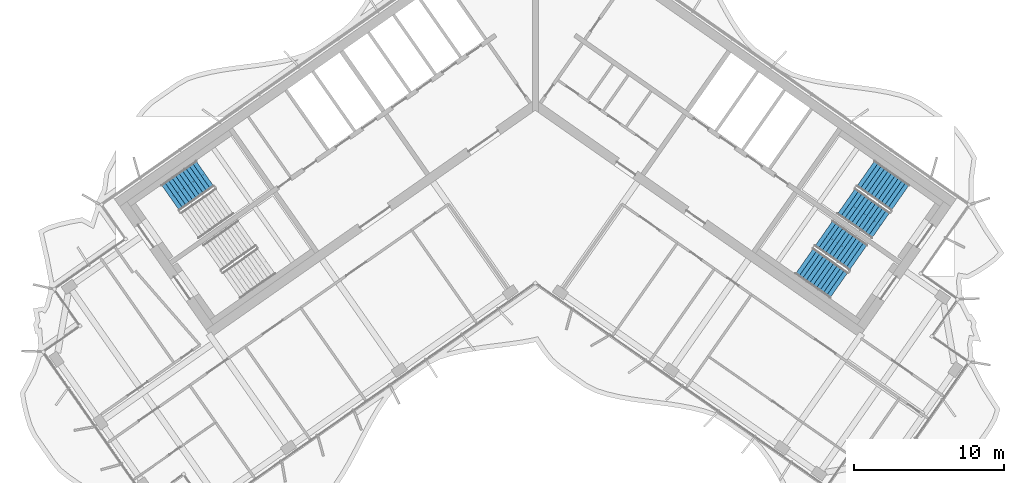
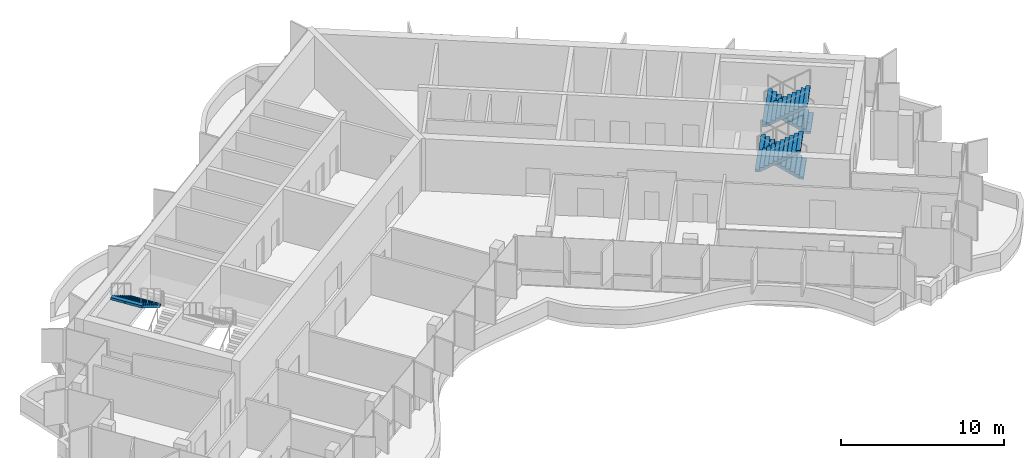
# One storey, part 12 of 17: 5 stair flights, 3 elements without a shape of their own.
"""IFC4 building model written with IfcOpenShell, lengths in metres."""

from ifc_helpers import new_model, si_unit, direction, frame, origin, place, context, subcontext, project, spatial, polyline, outline, extrude, material, type_object, element, aggregate, save


model = new_model("IFC4")

# Units and contexts
model_context = context("Model", 3, precision=1e-05, world=origin(), true_north=direction((0.0, 1.0)))
body_context = subcontext(model_context, "Body", "Model", "MODEL_VIEW")
ifc_project = project(units=[si_unit("LENGTHUNIT", "METRE"), si_unit("AREAUNIT", "SQUARE_METRE"), si_unit("VOLUMEUNIT", "CUBIC_METRE"), si_unit("PLANEANGLEUNIT", "RADIAN"), si_unit("MASSUNIT", "GRAM", prefix="KILO")], contexts=[model_context])

# Site, building, storey
site_placement = place(None, origin())
site = spatial("IfcSite", under=ifc_project, at=site_placement, CompositionType="ELEMENT")
building_placement = place(site_placement, origin())
building = spatial("IfcBuilding", under=site, at=building_placement, Name="Tel Ilan Convention Tower", CompositionType="ELEMENT")
storey_placement = place(building_placement, frame((0.0, 0.0, 283.89990234375)))
storey = spatial("IfcBuildingStorey", under=building, at=storey_placement, Name="L67", CompositionType="ELEMENT", Elevation=283.89990234375)

# Stair, stair flight
ifc_material_1 = material(Name="Concrete C40/50", Category="concrete")
stair_type = type_object("IfcStairType", Name="Pressurised Exit Stair 22 risers 177 mm", PredefinedType="HALF_TURN_STAIR", material=ifc_material_1)
stair_1_placement = place(storey_placement, origin())
stair_1 = element("IfcStair", 1, at=stair_1_placement, inside=storey, type_object=stair_type, Name="L67 Pressurised Stair S1", PredefinedType="HALF_TURN_STAIR")
ifc_material_2 = material(Name="Precast Concrete C40/50", Category="concrete")
stair_flight_type = type_object("IfcStairFlightType", Name="Concrete Stair Flight 2100 mm 22 risers 177 mm", PredefinedType="STRAIGHT", material=ifc_material_2)
stair_flight_1_placement = place(storey_placement, frame((-21.958740234375, -5.42626953125, 1.9501953125), z_axis=(0.0, 0.0, 1.0), x_axis=(-0.819152044289, -0.573576436351, 0.0)))
stair_flight_1 = element("IfcStairFlight", 2, at=stair_flight_1_placement, type_object=stair_flight_type, Name="S1 flight 2", NumberOfRisers=11, NumberOfTreads=10, PredefinedType="STRAIGHT", RiserHeight=0.177272727, TreadLength=0.28, context=body_context, shape_type="SweptSolid", body=[
    extrude(outline(polyline([(0.0, 0.0), (0.0, 0.17724609375), (0.280029296875, 0.17724609375), (0.280029296875, 0.3544921875), (0.56005859375, 0.3544921875), (0.56005859375, 0.53173828125), (0.840087890625, 0.53173828125), (0.840087890625, 0.708984375), (1.1201171875, 0.708984375), (1.1201171875, 0.886474609375), (1.39990234375, 0.886474609375), (1.39990234375, 1.063720703125), (1.679931640625, 1.063720703125), (1.679931640625, 1.240966796875), (1.9599609375, 1.240966796875), (1.9599609375, 1.418212890625), (2.239990234375, 1.418212890625), (2.239990234375, 1.595458984375), (2.52001953125, 1.595458984375), (2.52001953125, 1.772705078125), (2.800048828125, 1.772705078125), (2.800048828125, 1.949951171875), (2.800048828125, 1.59521484375), (0.2802734375, 0.0), (0.0, 0.0)])), frame((0.0, -0.100341796875, 0.0), z_axis=(0.0, -1.0, 0.0), x_axis=(1.0, 0.0, 0.0)), (0.0, 0.0, 1.0), 0.94970703125),
    extrude(outline(polyline([(0.0, 0.0), (0.0, 0.17724609375), (0.280029296875, 0.17724609375), (0.280029296875, 0.3544921875), (0.56005859375, 0.3544921875), (0.56005859375, 0.53173828125), (0.840087890625, 0.53173828125), (0.840087890625, 0.708984375), (1.1201171875, 0.708984375), (1.1201171875, 0.886474609375), (1.39990234375, 0.886474609375), (1.39990234375, 1.063720703125), (1.679931640625, 1.063720703125), (1.679931640625, 1.240966796875), (1.9599609375, 1.240966796875), (1.9599609375, 1.418212890625), (2.239990234375, 1.418212890625), (2.239990234375, 1.595458984375), (2.52001953125, 1.595458984375), (2.52001953125, 1.772705078125), (2.800048828125, 1.772705078125), (2.800048828125, 1.949951171875), (2.800048828125, 1.59521484375), (0.2802734375, 0.0), (0.0, 0.0)])), frame((0.0, -0.000244140625, 0.0), z_axis=(0.0, -1.0, 0.0), x_axis=(1.0, 0.0, 0.0)), (0.0, 0.0, 1.0), 0.099609375),
    extrude(outline(polyline([(0.0, 0.0), (0.0, 0.17724609375), (0.280029296875, 0.17724609375), (0.280029296875, 0.3544921875), (0.56005859375, 0.3544921875), (0.56005859375, 0.53173828125), (0.840087890625, 0.53173828125), (0.840087890625, 0.708984375), (1.1201171875, 0.708984375), (1.1201171875, 0.886474609375), (1.39990234375, 0.886474609375), (1.39990234375, 1.063720703125), (1.679931640625, 1.063720703125), (1.679931640625, 1.240966796875), (1.9599609375, 1.240966796875), (1.9599609375, 1.418212890625), (2.239990234375, 1.418212890625), (2.239990234375, 1.595458984375), (2.52001953125, 1.595458984375), (2.52001953125, 1.772705078125), (2.800048828125, 1.772705078125), (2.800048828125, 1.949951171875), (2.800048828125, 1.59521484375), (0.2802734375, 0.0), (0.0, 0.0)])), frame((0.0, 0.099853515625, 0.0), z_axis=(0.0, -1.0, 0.0), x_axis=(1.0, 0.0, 0.0)), (0.0, 0.0, 1.0), 0.099609375),
    extrude(outline(polyline([(0.0, 0.0), (0.0, 0.17724609375), (0.280029296875, 0.17724609375), (0.280029296875, 0.3544921875), (0.56005859375, 0.3544921875), (0.56005859375, 0.53173828125), (0.840087890625, 0.53173828125), (0.840087890625, 0.708984375), (1.1201171875, 0.708984375), (1.1201171875, 0.886474609375), (1.39990234375, 0.886474609375), (1.39990234375, 1.063720703125), (1.679931640625, 1.063720703125), (1.679931640625, 1.240966796875), (1.9599609375, 1.240966796875), (1.9599609375, 1.418212890625), (2.239990234375, 1.418212890625), (2.239990234375, 1.595458984375), (2.52001953125, 1.595458984375), (2.52001953125, 1.772705078125), (2.800048828125, 1.772705078125), (2.800048828125, 1.949951171875), (2.800048828125, 1.59521484375), (0.2802734375, 0.0), (0.0, 0.0)])), frame((0.0, 1.050048828125, 0.0), z_axis=(0.0, -1.0, 0.0), x_axis=(1.0, 0.0, 0.0)), (0.0, 0.0, 1.0), 0.94970703125),
])
aggregate(stair_1, [stair_flight_1])

# Stair, stair flights
stair_2_placement = place(storey_placement, origin())
stair_2 = element("IfcStair", 3, at=stair_2_placement, inside=storey, type_object=stair_type, Name="L67 Pressurised Stair S3", PredefinedType="HALF_TURN_STAIR")
stair_flight_2_placement = place(storey_placement, frame((24.25244140625, -7.032470703125, 0.0), z_axis=(0.0, 0.0, 1.0), x_axis=(-0.819152044289, 0.573576436351, 0.0)))
stair_flight_2 = element("IfcStairFlight", 4, at=stair_flight_2_placement, type_object=stair_flight_type, Name="S3 flight 1", NumberOfRisers=11, NumberOfTreads=10, PredefinedType="STRAIGHT", RiserHeight=0.177272727, TreadLength=0.28, context=body_context, shape_type="SweptSolid", body=[
    extrude(outline(polyline([(0.0, 0.0), (0.0, 0.17724609375), (0.280029296875, 0.17724609375), (0.280029296875, 0.3544921875), (0.56005859375, 0.3544921875), (0.56005859375, 0.53173828125), (0.840087890625, 0.53173828125), (0.840087890625, 0.708984375), (1.1201171875, 0.708984375), (1.1201171875, 0.886474609375), (1.39990234375, 0.886474609375), (1.39990234375, 1.063720703125), (1.679931640625, 1.063720703125), (1.679931640625, 1.240966796875), (1.9599609375, 1.240966796875), (1.9599609375, 1.418212890625), (2.239990234375, 1.418212890625), (2.239990234375, 1.595458984375), (2.52001953125, 1.595458984375), (2.52001953125, 1.772705078125), (2.800048828125, 1.772705078125), (2.800048828125, 1.949951171875), (2.800048828125, 1.59521484375), (0.2802734375, 0.0), (0.0, 0.0)])), frame((0.0, -0.100341796875, 0.0), z_axis=(0.0, -1.0, 0.0), x_axis=(1.0, 0.0, 0.0)), (0.0, 0.0, 1.0), 0.94970703125),
    extrude(outline(polyline([(0.0, 0.0), (0.0, 0.17724609375), (0.280029296875, 0.17724609375), (0.280029296875, 0.3544921875), (0.56005859375, 0.3544921875), (0.56005859375, 0.53173828125), (0.840087890625, 0.53173828125), (0.840087890625, 0.708984375), (1.1201171875, 0.708984375), (1.1201171875, 0.886474609375), (1.39990234375, 0.886474609375), (1.39990234375, 1.063720703125), (1.679931640625, 1.063720703125), (1.679931640625, 1.240966796875), (1.9599609375, 1.240966796875), (1.9599609375, 1.418212890625), (2.239990234375, 1.418212890625), (2.239990234375, 1.595458984375), (2.52001953125, 1.595458984375), (2.52001953125, 1.772705078125), (2.800048828125, 1.772705078125), (2.800048828125, 1.949951171875), (2.800048828125, 1.59521484375), (0.2802734375, 0.0), (0.0, 0.0)])), frame((0.0, -0.000244140625, 0.0), z_axis=(0.0, -1.0, 0.0), x_axis=(1.0, 0.0, 0.0)), (0.0, 0.0, 1.0), 0.099609375),
    extrude(outline(polyline([(0.0, 0.0), (0.0, 0.17724609375), (0.280029296875, 0.17724609375), (0.280029296875, 0.3544921875), (0.56005859375, 0.3544921875), (0.56005859375, 0.53173828125), (0.840087890625, 0.53173828125), (0.840087890625, 0.708984375), (1.1201171875, 0.708984375), (1.1201171875, 0.886474609375), (1.39990234375, 0.886474609375), (1.39990234375, 1.063720703125), (1.679931640625, 1.063720703125), (1.679931640625, 1.240966796875), (1.9599609375, 1.240966796875), (1.9599609375, 1.418212890625), (2.239990234375, 1.418212890625), (2.239990234375, 1.595458984375), (2.52001953125, 1.595458984375), (2.52001953125, 1.772705078125), (2.800048828125, 1.772705078125), (2.800048828125, 1.949951171875), (2.800048828125, 1.59521484375), (0.2802734375, 0.0), (0.0, 0.0)])), frame((0.0, 0.099853515625, 0.0), z_axis=(0.0, -1.0, 0.0), x_axis=(1.0, 0.0, 0.0)), (0.0, 0.0, 1.0), 0.099609375),
    extrude(outline(polyline([(0.0, 0.0), (0.0, 0.17724609375), (0.280029296875, 0.17724609375), (0.280029296875, 0.3544921875), (0.56005859375, 0.3544921875), (0.56005859375, 0.53173828125), (0.840087890625, 0.53173828125), (0.840087890625, 0.708984375), (1.1201171875, 0.708984375), (1.1201171875, 0.886474609375), (1.39990234375, 0.886474609375), (1.39990234375, 1.063720703125), (1.679931640625, 1.063720703125), (1.679931640625, 1.240966796875), (1.9599609375, 1.240966796875), (1.9599609375, 1.418212890625), (2.239990234375, 1.418212890625), (2.239990234375, 1.595458984375), (2.52001953125, 1.595458984375), (2.52001953125, 1.772705078125), (2.800048828125, 1.772705078125), (2.800048828125, 1.949951171875), (2.800048828125, 1.59521484375), (0.2802734375, 0.0), (0.0, 0.0)])), frame((0.0, 1.050048828125, 0.0), z_axis=(0.0, -1.0, 0.0), x_axis=(1.0, 0.0, 0.0)), (0.0, 0.0, 1.0), 0.94970703125),
])
stair_flight_3_placement = place(storey_placement, frame((20.668212890625, -7.26953125, 1.9501953125), z_axis=(0.0, 0.0, 1.0), x_axis=(0.819152044289, -0.573576436351, 0.0)))
stair_flight_3 = element("IfcStairFlight", 5, at=stair_flight_3_placement, type_object=stair_flight_type, Name="S3 flight 2", NumberOfRisers=11, NumberOfTreads=10, PredefinedType="STRAIGHT", RiserHeight=0.177272727, TreadLength=0.28, context=body_context, shape_type="SweptSolid", body=[
    extrude(outline(polyline([(0.0, 0.0), (0.0, 0.17724609375), (0.280029296875, 0.17724609375), (0.280029296875, 0.3544921875), (0.56005859375, 0.3544921875), (0.56005859375, 0.53173828125), (0.840087890625, 0.53173828125), (0.840087890625, 0.708984375), (1.1201171875, 0.708984375), (1.1201171875, 0.886474609375), (1.39990234375, 0.886474609375), (1.39990234375, 1.063720703125), (1.679931640625, 1.063720703125), (1.679931640625, 1.240966796875), (1.9599609375, 1.240966796875), (1.9599609375, 1.418212890625), (2.239990234375, 1.418212890625), (2.239990234375, 1.595458984375), (2.52001953125, 1.595458984375), (2.52001953125, 1.772705078125), (2.800048828125, 1.772705078125), (2.800048828125, 1.949951171875), (2.800048828125, 1.59521484375), (0.2802734375, 0.0), (0.0, 0.0)])), frame((0.0, -0.100341796875, 0.0), z_axis=(0.0, -1.0, 0.0), x_axis=(1.0, 0.0, 0.0)), (0.0, 0.0, 1.0), 0.94970703125),
    extrude(outline(polyline([(0.0, 0.0), (0.0, 0.17724609375), (0.280029296875, 0.17724609375), (0.280029296875, 0.3544921875), (0.56005859375, 0.3544921875), (0.56005859375, 0.53173828125), (0.840087890625, 0.53173828125), (0.840087890625, 0.708984375), (1.1201171875, 0.708984375), (1.1201171875, 0.886474609375), (1.39990234375, 0.886474609375), (1.39990234375, 1.063720703125), (1.679931640625, 1.063720703125), (1.679931640625, 1.240966796875), (1.9599609375, 1.240966796875), (1.9599609375, 1.418212890625), (2.239990234375, 1.418212890625), (2.239990234375, 1.595458984375), (2.52001953125, 1.595458984375), (2.52001953125, 1.772705078125), (2.800048828125, 1.772705078125), (2.800048828125, 1.949951171875), (2.800048828125, 1.59521484375), (0.2802734375, 0.0), (0.0, 0.0)])), frame((0.0, -0.000244140625, 0.0), z_axis=(0.0, -1.0, 0.0), x_axis=(1.0, 0.0, 0.0)), (0.0, 0.0, 1.0), 0.099609375),
    extrude(outline(polyline([(0.0, 0.0), (0.0, 0.17724609375), (0.280029296875, 0.17724609375), (0.280029296875, 0.3544921875), (0.56005859375, 0.3544921875), (0.56005859375, 0.53173828125), (0.840087890625, 0.53173828125), (0.840087890625, 0.708984375), (1.1201171875, 0.708984375), (1.1201171875, 0.886474609375), (1.39990234375, 0.886474609375), (1.39990234375, 1.063720703125), (1.679931640625, 1.063720703125), (1.679931640625, 1.240966796875), (1.9599609375, 1.240966796875), (1.9599609375, 1.418212890625), (2.239990234375, 1.418212890625), (2.239990234375, 1.595458984375), (2.52001953125, 1.595458984375), (2.52001953125, 1.772705078125), (2.800048828125, 1.772705078125), (2.800048828125, 1.949951171875), (2.800048828125, 1.59521484375), (0.2802734375, 0.0), (0.0, 0.0)])), frame((0.0, 0.099853515625, 0.0), z_axis=(0.0, -1.0, 0.0), x_axis=(1.0, 0.0, 0.0)), (0.0, 0.0, 1.0), 0.099609375),
    extrude(outline(polyline([(0.0, 0.0), (0.0, 0.17724609375), (0.280029296875, 0.17724609375), (0.280029296875, 0.3544921875), (0.56005859375, 0.3544921875), (0.56005859375, 0.53173828125), (0.840087890625, 0.53173828125), (0.840087890625, 0.708984375), (1.1201171875, 0.708984375), (1.1201171875, 0.886474609375), (1.39990234375, 0.886474609375), (1.39990234375, 1.063720703125), (1.679931640625, 1.063720703125), (1.679931640625, 1.240966796875), (1.9599609375, 1.240966796875), (1.9599609375, 1.418212890625), (2.239990234375, 1.418212890625), (2.239990234375, 1.595458984375), (2.52001953125, 1.595458984375), (2.52001953125, 1.772705078125), (2.800048828125, 1.772705078125), (2.800048828125, 1.949951171875), (2.800048828125, 1.59521484375), (0.2802734375, 0.0), (0.0, 0.0)])), frame((0.0, 1.050048828125, 0.0), z_axis=(0.0, -1.0, 0.0), x_axis=(1.0, 0.0, 0.0)), (0.0, 0.0, 1.0), 0.94970703125),
])
aggregate(stair_2, [stair_flight_2, stair_flight_3])

stair_3_placement = place(storey_placement, origin())
stair_3 = element("IfcStair", 6, at=stair_3_placement, inside=storey, type_object=stair_type, Name="L67 Pressurised Stair S4", PredefinedType="HALF_TURN_STAIR")
stair_flight_4_placement = place(storey_placement, frame((21.470458984375, -11.00537109375, 0.0), z_axis=(0.0, 0.0, 1.0), x_axis=(-0.819152044289, 0.573576436351, 0.0)))
stair_flight_4 = element("IfcStairFlight", 7, at=stair_flight_4_placement, type_object=stair_flight_type, Name="S4 flight 1", NumberOfRisers=11, NumberOfTreads=10, PredefinedType="STRAIGHT", RiserHeight=0.177272727, TreadLength=0.28, context=body_context, shape_type="SweptSolid", body=[
    extrude(outline(polyline([(0.0, 0.0), (0.0, 0.17724609375), (0.280029296875, 0.17724609375), (0.280029296875, 0.3544921875), (0.56005859375, 0.3544921875), (0.56005859375, 0.53173828125), (0.840087890625, 0.53173828125), (0.840087890625, 0.708984375), (1.1201171875, 0.708984375), (1.1201171875, 0.886474609375), (1.39990234375, 0.886474609375), (1.39990234375, 1.063720703125), (1.679931640625, 1.063720703125), (1.679931640625, 1.240966796875), (1.9599609375, 1.240966796875), (1.9599609375, 1.418212890625), (2.239990234375, 1.418212890625), (2.239990234375, 1.595458984375), (2.52001953125, 1.595458984375), (2.52001953125, 1.772705078125), (2.800048828125, 1.772705078125), (2.800048828125, 1.949951171875), (2.800048828125, 1.59521484375), (0.2802734375, 0.0), (0.0, 0.0)])), frame((0.0, -0.100341796875, 0.0), z_axis=(0.0, -1.0, 0.0), x_axis=(1.0, 0.0, 0.0)), (0.0, 0.0, 1.0), 0.94970703125),
    extrude(outline(polyline([(0.0, 0.0), (0.0, 0.17724609375), (0.280029296875, 0.17724609375), (0.280029296875, 0.3544921875), (0.56005859375, 0.3544921875), (0.56005859375, 0.53173828125), (0.840087890625, 0.53173828125), (0.840087890625, 0.708984375), (1.1201171875, 0.708984375), (1.1201171875, 0.886474609375), (1.39990234375, 0.886474609375), (1.39990234375, 1.063720703125), (1.679931640625, 1.063720703125), (1.679931640625, 1.240966796875), (1.9599609375, 1.240966796875), (1.9599609375, 1.418212890625), (2.239990234375, 1.418212890625), (2.239990234375, 1.595458984375), (2.52001953125, 1.595458984375), (2.52001953125, 1.772705078125), (2.800048828125, 1.772705078125), (2.800048828125, 1.949951171875), (2.800048828125, 1.59521484375), (0.2802734375, 0.0), (0.0, 0.0)])), frame((0.0, -0.000244140625, 0.0), z_axis=(0.0, -1.0, 0.0), x_axis=(1.0, 0.0, 0.0)), (0.0, 0.0, 1.0), 0.099609375),
    extrude(outline(polyline([(0.0, 0.0), (0.0, 0.17724609375), (0.280029296875, 0.17724609375), (0.280029296875, 0.3544921875), (0.56005859375, 0.3544921875), (0.56005859375, 0.53173828125), (0.840087890625, 0.53173828125), (0.840087890625, 0.708984375), (1.1201171875, 0.708984375), (1.1201171875, 0.886474609375), (1.39990234375, 0.886474609375), (1.39990234375, 1.063720703125), (1.679931640625, 1.063720703125), (1.679931640625, 1.240966796875), (1.9599609375, 1.240966796875), (1.9599609375, 1.418212890625), (2.239990234375, 1.418212890625), (2.239990234375, 1.595458984375), (2.52001953125, 1.595458984375), (2.52001953125, 1.772705078125), (2.800048828125, 1.772705078125), (2.800048828125, 1.949951171875), (2.800048828125, 1.59521484375), (0.2802734375, 0.0), (0.0, 0.0)])), frame((0.0, 0.099853515625, 0.0), z_axis=(0.0, -1.0, 0.0), x_axis=(1.0, 0.0, 0.0)), (0.0, 0.0, 1.0), 0.099609375),
    extrude(outline(polyline([(0.0, 0.0), (0.0, 0.17724609375), (0.280029296875, 0.17724609375), (0.280029296875, 0.3544921875), (0.56005859375, 0.3544921875), (0.56005859375, 0.53173828125), (0.840087890625, 0.53173828125), (0.840087890625, 0.708984375), (1.1201171875, 0.708984375), (1.1201171875, 0.886474609375), (1.39990234375, 0.886474609375), (1.39990234375, 1.063720703125), (1.679931640625, 1.063720703125), (1.679931640625, 1.240966796875), (1.9599609375, 1.240966796875), (1.9599609375, 1.418212890625), (2.239990234375, 1.418212890625), (2.239990234375, 1.595458984375), (2.52001953125, 1.595458984375), (2.52001953125, 1.772705078125), (2.800048828125, 1.772705078125), (2.800048828125, 1.949951171875), (2.800048828125, 1.59521484375), (0.2802734375, 0.0), (0.0, 0.0)])), frame((0.0, 1.050048828125, 0.0), z_axis=(0.0, -1.0, 0.0), x_axis=(1.0, 0.0, 0.0)), (0.0, 0.0, 1.0), 0.94970703125),
])
stair_flight_5_placement = place(storey_placement, frame((17.886474609375, -11.242431640625, 1.9501953125), z_axis=(0.0, 0.0, 1.0), x_axis=(0.819152044289, -0.573576436351, 0.0)))
stair_flight_5 = element("IfcStairFlight", 8, at=stair_flight_5_placement, type_object=stair_flight_type, Name="S4 flight 2", NumberOfRisers=11, NumberOfTreads=10, PredefinedType="STRAIGHT", RiserHeight=0.177272727, TreadLength=0.28, context=body_context, shape_type="SweptSolid", body=[
    extrude(outline(polyline([(0.0, 0.0), (0.0, 0.17724609375), (0.280029296875, 0.17724609375), (0.280029296875, 0.3544921875), (0.56005859375, 0.3544921875), (0.56005859375, 0.53173828125), (0.840087890625, 0.53173828125), (0.840087890625, 0.708984375), (1.1201171875, 0.708984375), (1.1201171875, 0.886474609375), (1.39990234375, 0.886474609375), (1.39990234375, 1.063720703125), (1.679931640625, 1.063720703125), (1.679931640625, 1.240966796875), (1.9599609375, 1.240966796875), (1.9599609375, 1.418212890625), (2.239990234375, 1.418212890625), (2.239990234375, 1.595458984375), (2.52001953125, 1.595458984375), (2.52001953125, 1.772705078125), (2.800048828125, 1.772705078125), (2.800048828125, 1.949951171875), (2.800048828125, 1.59521484375), (0.2802734375, 0.0), (0.0, 0.0)])), frame((0.0, -0.100341796875, 0.0), z_axis=(0.0, -1.0, 0.0), x_axis=(1.0, 0.0, 0.0)), (0.0, 0.0, 1.0), 0.94970703125),
    extrude(outline(polyline([(0.0, 0.0), (0.0, 0.17724609375), (0.280029296875, 0.17724609375), (0.280029296875, 0.3544921875), (0.56005859375, 0.3544921875), (0.56005859375, 0.53173828125), (0.840087890625, 0.53173828125), (0.840087890625, 0.708984375), (1.1201171875, 0.708984375), (1.1201171875, 0.886474609375), (1.39990234375, 0.886474609375), (1.39990234375, 1.063720703125), (1.679931640625, 1.063720703125), (1.679931640625, 1.240966796875), (1.9599609375, 1.240966796875), (1.9599609375, 1.418212890625), (2.239990234375, 1.418212890625), (2.239990234375, 1.595458984375), (2.52001953125, 1.595458984375), (2.52001953125, 1.772705078125), (2.800048828125, 1.772705078125), (2.800048828125, 1.949951171875), (2.800048828125, 1.59521484375), (0.2802734375, 0.0), (0.0, 0.0)])), frame((0.0, -0.000244140625, 0.0), z_axis=(0.0, -1.0, 0.0), x_axis=(1.0, 0.0, 0.0)), (0.0, 0.0, 1.0), 0.099609375),
    extrude(outline(polyline([(0.0, 0.0), (0.0, 0.17724609375), (0.280029296875, 0.17724609375), (0.280029296875, 0.3544921875), (0.56005859375, 0.3544921875), (0.56005859375, 0.53173828125), (0.840087890625, 0.53173828125), (0.840087890625, 0.708984375), (1.1201171875, 0.708984375), (1.1201171875, 0.886474609375), (1.39990234375, 0.886474609375), (1.39990234375, 1.063720703125), (1.679931640625, 1.063720703125), (1.679931640625, 1.240966796875), (1.9599609375, 1.240966796875), (1.9599609375, 1.418212890625), (2.239990234375, 1.418212890625), (2.239990234375, 1.595458984375), (2.52001953125, 1.595458984375), (2.52001953125, 1.772705078125), (2.800048828125, 1.772705078125), (2.800048828125, 1.949951171875), (2.800048828125, 1.59521484375), (0.2802734375, 0.0), (0.0, 0.0)])), frame((0.0, 0.099853515625, 0.0), z_axis=(0.0, -1.0, 0.0), x_axis=(1.0, 0.0, 0.0)), (0.0, 0.0, 1.0), 0.099609375),
    extrude(outline(polyline([(0.0, 0.0), (0.0, 0.17724609375), (0.280029296875, 0.17724609375), (0.280029296875, 0.3544921875), (0.56005859375, 0.3544921875), (0.56005859375, 0.53173828125), (0.840087890625, 0.53173828125), (0.840087890625, 0.708984375), (1.1201171875, 0.708984375), (1.1201171875, 0.886474609375), (1.39990234375, 0.886474609375), (1.39990234375, 1.063720703125), (1.679931640625, 1.063720703125), (1.679931640625, 1.240966796875), (1.9599609375, 1.240966796875), (1.9599609375, 1.418212890625), (2.239990234375, 1.418212890625), (2.239990234375, 1.595458984375), (2.52001953125, 1.595458984375), (2.52001953125, 1.772705078125), (2.800048828125, 1.772705078125), (2.800048828125, 1.949951171875), (2.800048828125, 1.59521484375), (0.2802734375, 0.0), (0.0, 0.0)])), frame((0.0, 1.050048828125, 0.0), z_axis=(0.0, -1.0, 0.0), x_axis=(1.0, 0.0, 0.0)), (0.0, 0.0, 1.0), 0.94970703125),
])
aggregate(stair_3, [stair_flight_4, stair_flight_5])

save(model, "model.ifc")
